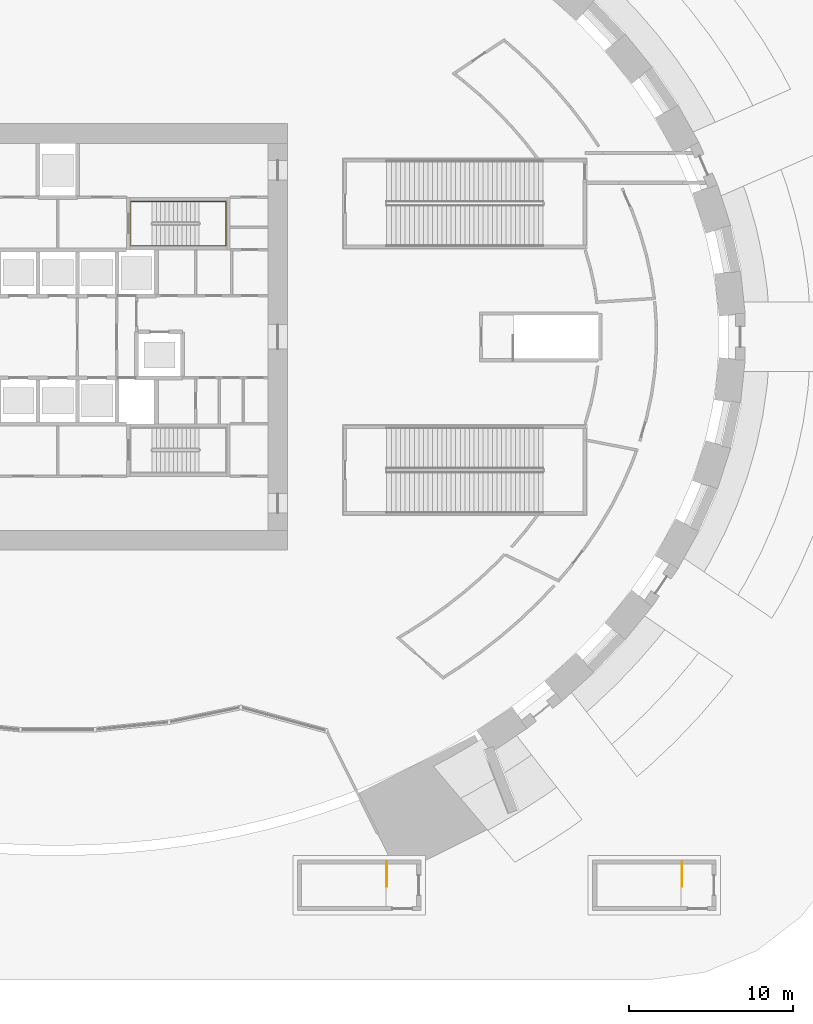
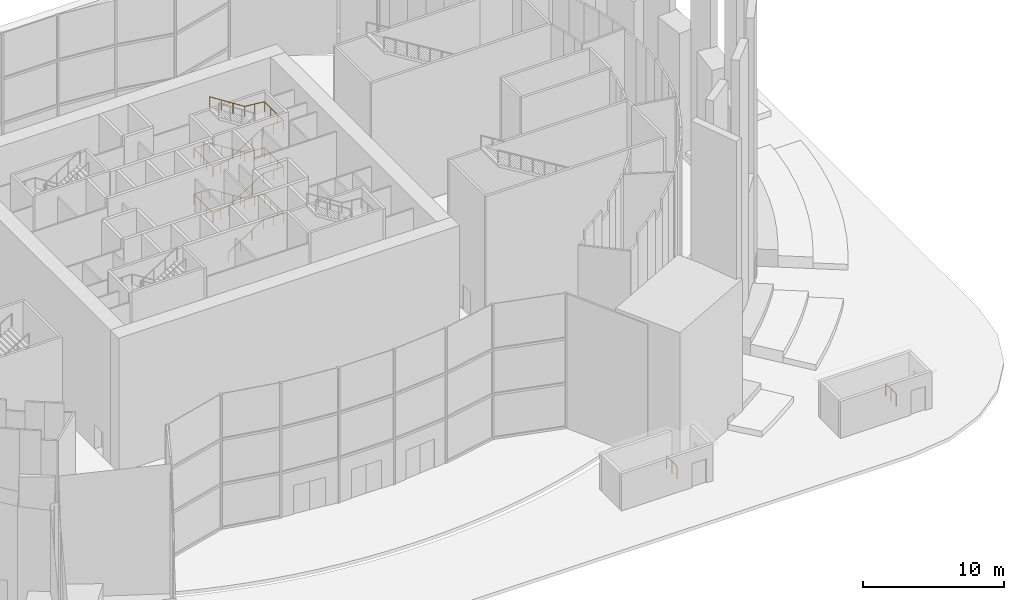
# One storey, part 22 of 25: 3 railings.
"""IFC4 building model written with IfcOpenShell, lengths in metres."""

import ifcopenshell
import ifcopenshell.guid

model = None  # the IFC model being written
_history = None  # IfcOwnerHistory: only IFC2X3 demands one
_inside = {}  # id of a spatial element -> (the spatial element, [elements in it])
_under = {}  # id of a project, library or spatial element -> (it, [spatial elements below it])
_declared = {}  # id of a project -> (the project, [libraries it declares])
_typed = {}  # id of a type object -> (the type object, [elements of that type])
_made_of = {}  # id of a material, layer set ... -> (it, [elements and type objects made of it])


def new_model(schema):
    """Start an empty IFC model of exactly this schema.

    Asked for "IFC4X3", IfcOpenShell would pick the latest addendum, in which some entities
    have other attributes; the version numbers below select the first issue.
    IFC2X3 requires an IfcOwnerHistory on every rooted entity: one is made here for all.
    """
    global model, _history
    if schema == "IFC4X3":
        model = ifcopenshell.file(schema_version=(4, 3, 0, 0))
    else:
        model = ifcopenshell.file(schema=schema)
    _inside.clear()
    _under.clear()
    _declared.clear()
    _typed.clear()
    _made_of.clear()
    _history = None
    if model.schema == "IFC2X3":
        org = make("IfcOrganization", Name="unknown")
        user = make(
            "IfcPersonAndOrganization",
            ThePerson=make("IfcPerson", FamilyName="unknown"),
            TheOrganization=org,
        )
        app = make(
            "IfcApplication",
            ApplicationDeveloper=org,
            Version="unknown",
            ApplicationFullName="unknown",
            ApplicationIdentifier="unknown",
        )
        _history = make(
            "IfcOwnerHistory",
            OwningUser=user,
            OwningApplication=app,
            ChangeAction="ADDED",
            CreationDate=0,
        )
    return model


def make(cls, **values):
    """One entity of the class cls with the attributes given. An attribute that is None is left unset."""
    return model.create_entity(
        cls, **{name: value for name, value in values.items() if value is not None}
    )


def rooted(cls, **values):
    """An entity with a GlobalId (a new one), such as an element, a storey or a relation."""
    return make(cls, GlobalId=ifcopenshell.guid.new(), OwnerHistory=_history, **values)


def si_unit(unit_type, name, prefix=None):
    """IfcSIUnit, for example si_unit("LENGTHUNIT", "METRE", prefix="MILLI")."""
    return make("IfcSIUnit", UnitType=unit_type, Prefix=prefix, Name=name)


def assignment(units):
    """IfcUnitAssignment: the units of a project."""
    return None if units is None else make("IfcUnitAssignment", Units=units)


def point(xyz):
    """IfcCartesianPoint."""
    return None if xyz is None else make("IfcCartesianPoint", Coordinates=xyz)


def direction(xyz):
    """IfcDirection."""
    return None if xyz is None else make("IfcDirection", DirectionRatios=xyz)


def frame(location, z_axis=None, x_axis=None):
    """IfcAxis2Placement3D, a coordinate frame: its origin and axes. An axis left out is left unset."""
    return make(
        "IfcAxis2Placement3D",
        Location=point(location),
        Axis=direction(z_axis),
        RefDirection=direction(x_axis),
    )


def frame_2d(location, x_axis=None):
    """IfcAxis2Placement2D, a coordinate frame in the plane: its origin and x axis."""
    return make(
        "IfcAxis2Placement2D", Location=point(location), RefDirection=direction(x_axis)
    )


def origin():
    """The frame at (0, 0, 0) with its axes left unset."""
    return frame((0.0, 0.0, 0.0))


def origin_2d():
    """The frame at (0, 0) in the plane with its x axis left unset."""
    return frame_2d((0.0, 0.0))


def place(relative_to, where):
    """IfcLocalPlacement: puts the frame where relative to a parent placement (None: the world)."""
    return make(
        "IfcLocalPlacement", PlacementRelTo=relative_to, RelativePlacement=where
    )


def context(
    kind, dimensions, precision=None, world=None, true_north=None, identifier=None
):
    """IfcGeometricRepresentationContext, for example the 3D "Model" context."""
    return make(
        "IfcGeometricRepresentationContext",
        ContextIdentifier=identifier,
        ContextType=kind,
        CoordinateSpaceDimension=dimensions,
        Precision=precision,
        WorldCoordinateSystem=world,
        TrueNorth=true_north,
    )


def subcontext(parent, identifier, kind, view, scale=None):
    """IfcGeometricRepresentationSubContext, for example "Body" below "Model"."""
    return make(
        "IfcGeometricRepresentationSubContext",
        ContextIdentifier=identifier,
        ContextType=kind,
        ParentContext=parent,
        TargetScale=scale,
        TargetView=view,
    )


def project(units=None, contexts=None):
    """IfcProject with its units and contexts."""
    return rooted(
        "IfcProject",
        Name="project",
        RepresentationContexts=contexts,
        UnitsInContext=assignment(units),
    )


def spatial(cls, under=None, at=None, **own):
    """A site, building, storey or space (cls), placed at a placement, below another one or the project."""
    s = rooted(cls, ObjectPlacement=at, **own)
    if under is not None:
        _under.setdefault(under.id(), (under, []))[1].append(s)
    return s


def profile(cls, at=None, kind="AREA", **sizes):
    """A parametric profile (cls). Its sizes go by their IFC names, for example OverallWidth=200.0."""
    return make(cls, ProfileType=kind, Position=at, **sizes)


def circle(**sizes):
    """IfcCircleProfileDef."""
    return profile("IfcCircleProfileDef", **sizes)


def extrude(swept, where, along, depth):
    """IfcExtrudedAreaSolid: the profile swept, set in the frame where, extruded along a direction by depth."""
    return make(
        "IfcExtrudedAreaSolid",
        SweptArea=swept,
        Position=where,
        ExtrudedDirection=direction(along),
        Depth=depth,
    )


def shape(context_of_items, identifier, shape_type, items):
    """IfcShapeRepresentation: the items that make up one representation, for example the "Body"."""
    return make(
        "IfcShapeRepresentation",
        ContextOfItems=context_of_items,
        RepresentationIdentifier=identifier,
        RepresentationType=shape_type,
        Items=items,
    )


def source(mapping_origin, context_of_items, identifier, shape_type, items):
    """IfcRepresentationMap: a shape defined once, which mapped items show again and again."""
    return make(
        "IfcRepresentationMap",
        MappingOrigin=mapping_origin,
        MappedRepresentation=shape(context_of_items, identifier, shape_type, items),
    )


def transform(
    local_origin,
    x_axis=None,
    y_axis=None,
    z_axis=None,
    scale=None,
    scale2=None,
    scale3=None,
    uniform=True,
):
    """IfcCartesianTransformationOperator3D, or its non-uniform kind. x_axis, y_axis, z_axis: its Axis1, 2, 3."""
    if uniform:
        return make(
            "IfcCartesianTransformationOperator3D",
            Axis1=direction(x_axis),
            Axis2=direction(y_axis),
            LocalOrigin=point(local_origin),
            Scale=scale,
            Axis3=direction(z_axis),
        )
    return make(
        "IfcCartesianTransformationOperator3DnonUniform",
        Axis1=direction(x_axis),
        Axis2=direction(y_axis),
        LocalOrigin=point(local_origin),
        Scale=scale,
        Axis3=direction(z_axis),
        Scale2=scale2,
        Scale3=scale3,
    )


def mapped(mapping_source, mapping_target):
    """IfcMappedItem: shows the shape of a source again, moved by a transform."""
    return make(
        "IfcMappedItem", MappingSource=mapping_source, MappingTarget=mapping_target
    )


def material(Name=None, Category=None):
    """IfcMaterial."""
    return make("IfcMaterial", Name=Name, Category=Category)


def made_of(thing, what):
    """Note that an element or type object is made of a material, layer set ...; save() writes the relation."""
    if what is not None:
        _made_of.setdefault(what.id(), (what, []))[1].append(thing)
    return thing


def type_object(cls, material=None, **own):
    """A type object (cls), such as IfcWallType, which elements share."""
    return made_of(rooted(cls, **own), material)


def element(
    cls,
    number,
    at=None,
    inside=None,
    cuts=None,
    type_object=None,
    material=None,
    context=None,
    identifier="Body",
    shape_type=None,
    held_by="IfcProductDefinitionShape",
    body=None,
    shapes=None,
    **own,
):
    """One element of the class cls, such as IfcWall. Its Tag is "e" and its number.

    at: its placement. inside: the storey or other place that contains it. cuts: it is an
    opening in that element (IfcRelVoidsElement). A single representation is given by context,
    identifier, shape_type and body (its items); several are given by shapes. held_by: the class
    of the entity that holds the representations. save() writes the other relations.
    """
    e = rooted(cls, Tag="e%d" % number, ObjectPlacement=at, **own)
    if body is not None:
        shapes = [shape(context, identifier, shape_type, body)]
    if shapes is not None:
        e.Representation = make(held_by, Representations=shapes)
    if inside is not None:
        _inside.setdefault(inside.id(), (inside, []))[1].append(e)
    if cuts is not None:
        rooted(
            "IfcRelVoidsElement", RelatingBuildingElement=cuts, RelatedOpeningElement=e
        )
    if type_object is not None:
        _typed.setdefault(type_object.id(), (type_object, []))[1].append(e)
    return made_of(e, material)


def aggregate(whole, parts):
    """IfcRelAggregates: a whole, such as a stair, and the parts it consists of."""
    return rooted("IfcRelAggregates", RelatingObject=whole, RelatedObjects=parts)


def save(model, path):
    """Write the relations noted so far, then the file.

    IfcRelAggregates (storeys below a building ...), IfcRelContainedInSpatialStructure (elements
    in a storey), IfcRelDefinesByType, IfcRelAssociatesMaterial and IfcRelDeclares: one each for
    every whole, place, type object, material and project.
    """
    for whole, parts in _under.values():
        aggregate(whole, parts)
    for where, things in _inside.values():
        rooted(
            "IfcRelContainedInSpatialStructure",
            RelatedElements=things,
            RelatingStructure=where,
        )
    for kind, things in _typed.values():
        rooted("IfcRelDefinesByType", RelatedObjects=things, RelatingType=kind)
    for what, things in _made_of.values():
        rooted("IfcRelAssociatesMaterial", RelatedObjects=things, RelatingMaterial=what)
    for by, libraries in _declared.values():
        rooted("IfcRelDeclares", RelatingContext=by, RelatedDefinitions=libraries)
    model.write(path)


model = new_model("IFC4")

# Units and contexts
model_context = context("Model", 3, precision=1e-05, world=origin(), true_north=direction((0.0, 1.0)))
body_context = subcontext(model_context, "Body", "Model", "MODEL_VIEW")
ifc_project = project(units=[si_unit("LENGTHUNIT", "METRE"), si_unit("AREAUNIT", "SQUARE_METRE"), si_unit("VOLUMEUNIT", "CUBIC_METRE"), si_unit("PLANEANGLEUNIT", "RADIAN"), si_unit("MASSUNIT", "GRAM", prefix="KILO")], contexts=[model_context])

# Site, building, storey
site_placement = place(None, origin())
site = spatial("IfcSite", under=ifc_project, at=site_placement, CompositionType="ELEMENT")
building_placement = place(site_placement, origin())
building = spatial("IfcBuilding", under=site, at=building_placement, Name="Embergate Tower", CompositionType="ELEMENT")
storey_placement = place(building_placement, origin())
storey = spatial("IfcBuildingStorey", under=building, at=storey_placement, Name="L00", CompositionType="ELEMENT", Elevation=0.0)

# Railings
ifc_material_1 = material(Name="Stair handrail 900")
railing_type_1 = type_object("IfcRailingType", Name="Stair handrail 900", PredefinedType="HANDRAIL", material=ifc_material_1)
shared_shape_1 = source(origin(), body_context, "Body", "SweptSolid", [
    extrude(circle(Radius=0.02392578125, at=origin_2d()), frame((0.0, 0.0, 0.8759765625), z_axis=(0.841899231129, 0.0, 0.539634769658), x_axis=(0.0, 1.0, 0.0)), (0.0, 0.0, 1.0), 3.397216796875),
    extrude(circle(Radius=0.02392578125, at=origin_2d()), frame((2.860107421875, 0.0, 2.708984375), z_axis=(1.0, 0.0, 0.0), x_axis=(0.0, 1.0, 0.0)), (0.0, 0.0, 1.0), 1.639892578125),
    extrude(circle(Radius=0.02392578125, at=origin_2d()), frame((4.5, 0.0, 2.708984375), z_axis=(0.0, 1.0, 0.0), x_axis=(-1.0, 0.0, 0.0)), (0.0, 0.0, 1.0), 2.699951171875),
    extrude(circle(Radius=0.02392578125, at=origin_2d()), frame((4.5, 2.699951171875, 2.708984375), z_axis=(-0.99487010061, 0.0, 0.101160678683), x_axis=(0.0, -1.0, 0.0)), (0.0, 0.0, 1.0), 1.6484375),
    extrude(circle(Radius=0.02392578125, at=origin_2d()), frame((2.860107421875, 2.699951171875, 2.8759765625), z_axis=(-0.841899231129, 0.0, 0.539634769658), x_axis=(0.0, -1.0, 0.0)), (0.0, 0.0, 1.0), 3.397216796875),
    extrude(circle(Radius=0.02392578125, at=origin_2d()), frame((0.0, 2.699951171875, 4.708984375), z_axis=(-1.0, 0.0, 0.0), x_axis=(0.0, -1.0, 0.0)), (0.0, 0.0, 1.0), 1.300048828125),
    extrude(circle(Radius=0.02392578125, at=origin_2d()), frame((-1.300048828125, 2.699951171875, 4.708984375), z_axis=(0.0, -1.0, 0.0), x_axis=(1.0, 0.0, 0.0)), (0.0, 0.0, 1.0), 2.699951171875),
    extrude(circle(Radius=0.02392578125, at=origin_2d()), frame((-1.300048828125, 0.0, 4.708984375), z_axis=(0.991874434073, 0.0, 0.12722070206), x_axis=(0.0, 1.0, 0.0)), (0.0, 0.0, 1.0), 1.310791015625),
    extrude(circle(Radius=0.02392578125, at=origin_2d()), frame((0.0, 0.0, 4.8759765625), z_axis=(0.841899231129, 0.0, 0.539634769658), x_axis=(0.0, 1.0, 0.0)), (0.0, 0.0, 1.0), 3.397216796875),
    extrude(circle(Radius=0.02392578125, at=origin_2d()), frame((2.860107421875, 0.0, 6.708984375), z_axis=(1.0, 0.0, 0.0), x_axis=(0.0, 1.0, 0.0)), (0.0, 0.0, 1.0), 1.639892578125),
    extrude(circle(Radius=0.02392578125, at=origin_2d()), frame((4.5, 0.0, 6.708984375), z_axis=(0.0, 1.0, 0.0), x_axis=(-1.0, 0.0, 0.0)), (0.0, 0.0, 1.0), 2.699951171875),
    extrude(circle(Radius=0.02392578125, at=origin_2d()), frame((4.5, 2.699951171875, 6.708984375), z_axis=(-0.99487010061, 0.0, 0.101160678683), x_axis=(0.0, -1.0, 0.0)), (0.0, 0.0, 1.0), 1.6484375),
    extrude(circle(Radius=0.02392578125, at=origin_2d()), frame((2.860107421875, 2.699951171875, 6.8759765625), z_axis=(-0.841899231129, 0.0, 0.539634769658), x_axis=(0.0, -1.0, 0.0)), (0.0, 0.0, 1.0), 3.397216796875),
    extrude(circle(Radius=0.02392578125, at=origin_2d()), frame((0.0, 2.699951171875, 8.708984375), z_axis=(-1.0, 0.0, 0.0), x_axis=(0.0, -1.0, 0.0)), (0.0, 0.0, 1.0), 1.300048828125),
    extrude(circle(Radius=0.02392578125, at=origin_2d()), frame((-1.300048828125, 2.699951171875, 8.708984375), z_axis=(0.0, -1.0, 0.0), x_axis=(1.0, 0.0, 0.0)), (0.0, 0.0, 1.0), 2.699951171875),
    extrude(circle(Radius=0.02392578125, at=origin_2d()), frame((-1.300048828125, 0.0, 8.708984375), z_axis=(0.991874434073, 0.0, 0.12722070206), x_axis=(0.0, 1.0, 0.0)), (0.0, 0.0, 1.0), 1.310791015625),
    extrude(circle(Radius=0.02392578125, at=origin_2d()), frame((0.0, 0.0, 8.8759765625), z_axis=(0.841899231129, 0.0, 0.539634769658), x_axis=(0.0, 1.0, 0.0)), (0.0, 0.0, 1.0), 3.397216796875),
    extrude(circle(Radius=0.02392578125, at=origin_2d()), frame((2.860107421875, 0.0, 10.708984375), z_axis=(1.0, 0.0, 0.0), x_axis=(0.0, 1.0, 0.0)), (0.0, 0.0, 1.0), 1.639892578125),
    extrude(circle(Radius=0.02392578125, at=origin_2d()), frame((4.5, 0.0, 10.708984375), z_axis=(0.0, 1.0, 0.0), x_axis=(-1.0, 0.0, 0.0)), (0.0, 0.0, 1.0), 2.699951171875),
    extrude(circle(Radius=0.02392578125, at=origin_2d()), frame((4.5, 2.699951171875, 10.708984375), z_axis=(-0.99487010061, 0.0, 0.101160678683), x_axis=(0.0, -1.0, 0.0)), (0.0, 0.0, 1.0), 1.6484375),
    extrude(circle(Radius=0.02392578125, at=origin_2d()), frame((2.860107421875, 2.699951171875, 10.8759765625), z_axis=(-0.841899231129, 0.0, 0.539634769658), x_axis=(0.0, -1.0, 0.0)), (0.0, 0.0, 1.0), 3.397216796875),
    extrude(circle(Radius=0.02099609375, at=origin_2d()), origin(), (0.0, 0.0, 1.0), 0.851806640625),
    extrude(circle(Radius=0.02099609375, at=origin_2d()), frame((0.953369140625, 0.0, 0.611083984375)), (0.0, 0.0, 1.0), 0.851806640625),
    extrude(circle(Radius=0.02099609375, at=origin_2d()), frame((1.90673828125, 0.0, 1.22216796875)), (0.0, 0.0, 1.0), 0.851806640625),
    extrude(circle(Radius=0.02099609375, at=origin_2d()), frame((2.860107421875, 0.0, 1.833251953125)), (0.0, 0.0, 1.0), 0.851806640625),
    extrude(circle(Radius=0.02099609375, at=origin_2d()), frame((3.68017578125, 0.0, 1.833251953125)), (0.0, 0.0, 1.0), 0.851806640625),
    extrude(circle(Radius=0.02099609375, at=origin_2d()), frame((4.5, 0.0, 1.833251953125)), (0.0, 0.0, 1.0), 0.851806640625),
    extrude(circle(Radius=0.02099609375, at=origin_2d()), frame((4.5, 0.89990234375, 1.833251953125)), (0.0, 0.0, 1.0), 0.851806640625),
    extrude(circle(Radius=0.02099609375, at=origin_2d()), frame((4.5, 1.800048828125, 1.833251953125)), (0.0, 0.0, 1.0), 0.851806640625),
    extrude(circle(Radius=0.02099609375, at=origin_2d()), frame((4.5, 2.699951171875, 1.833251953125)), (0.0, 0.0, 1.0), 0.851806640625),
    extrude(circle(Radius=0.02099609375, at=origin_2d()), frame((3.68017578125, 2.699951171875, 1.91650390625)), (0.0, 0.0, 1.0), 0.851806640625),
    extrude(circle(Radius=0.02099609375, at=origin_2d()), frame((2.860107421875, 2.699951171875, 2.0)), (0.0, 0.0, 1.0), 0.851806640625),
    extrude(circle(Radius=0.02099609375, at=origin_2d()), frame((1.90673828125, 2.699951171875, 2.611083984375)), (0.0, 0.0, 1.0), 0.851806640625),
    extrude(circle(Radius=0.02099609375, at=origin_2d()), frame((0.953369140625, 2.699951171875, 3.22216796875)), (0.0, 0.0, 1.0), 0.851806640625),
    extrude(circle(Radius=0.02099609375, at=origin_2d()), frame((0.0, 2.699951171875, 3.833251953125)), (0.0, 0.0, 1.0), 0.851806640625),
    extrude(circle(Radius=0.02099609375, at=origin_2d()), frame((-0.64990234375, 2.699951171875, 3.833251953125)), (0.0, 0.0, 1.0), 0.851806640625),
    extrude(circle(Radius=0.02099609375, at=origin_2d()), frame((-1.300048828125, 2.699951171875, 3.833251953125)), (0.0, 0.0, 1.0), 0.851806640625),
    extrude(circle(Radius=0.02099609375, at=origin_2d()), frame((-1.300048828125, 1.800048828125, 3.833251953125)), (0.0, 0.0, 1.0), 0.851806640625),
    extrude(circle(Radius=0.02099609375, at=origin_2d()), frame((-1.300048828125, 0.89990234375, 3.833251953125)), (0.0, 0.0, 1.0), 0.851806640625),
    extrude(circle(Radius=0.02099609375, at=origin_2d()), frame((-1.300048828125, 0.0, 3.833251953125)), (0.0, 0.0, 1.0), 0.851806640625),
    extrude(circle(Radius=0.02099609375, at=origin_2d()), frame((-0.64990234375, 0.0, 3.91650390625)), (0.0, 0.0, 1.0), 0.851806640625),
    extrude(circle(Radius=0.02099609375, at=origin_2d()), frame((0.0, 0.0, 4.0)), (0.0, 0.0, 1.0), 0.851806640625),
    extrude(circle(Radius=0.02099609375, at=origin_2d()), frame((0.953369140625, 0.0, 4.611083984375)), (0.0, 0.0, 1.0), 0.851806640625),
    extrude(circle(Radius=0.02099609375, at=origin_2d()), frame((1.90673828125, 0.0, 5.22216796875)), (0.0, 0.0, 1.0), 0.851806640625),
    extrude(circle(Radius=0.02099609375, at=origin_2d()), frame((2.860107421875, 0.0, 5.833251953125)), (0.0, 0.0, 1.0), 0.851806640625),
    extrude(circle(Radius=0.02099609375, at=origin_2d()), frame((3.68017578125, 0.0, 5.833251953125)), (0.0, 0.0, 1.0), 0.851806640625),
    extrude(circle(Radius=0.02099609375, at=origin_2d()), frame((4.5, 0.0, 5.833251953125)), (0.0, 0.0, 1.0), 0.851806640625),
    extrude(circle(Radius=0.02099609375, at=origin_2d()), frame((4.5, 0.89990234375, 5.833251953125)), (0.0, 0.0, 1.0), 0.851806640625),
    extrude(circle(Radius=0.02099609375, at=origin_2d()), frame((4.5, 1.800048828125, 5.833251953125)), (0.0, 0.0, 1.0), 0.851806640625),
    extrude(circle(Radius=0.02099609375, at=origin_2d()), frame((4.5, 2.699951171875, 5.833251953125)), (0.0, 0.0, 1.0), 0.851806640625),
    extrude(circle(Radius=0.02099609375, at=origin_2d()), frame((3.68017578125, 2.699951171875, 5.91650390625)), (0.0, 0.0, 1.0), 0.851806640625),
    extrude(circle(Radius=0.02099609375, at=origin_2d()), frame((2.860107421875, 2.699951171875, 6.0)), (0.0, 0.0, 1.0), 0.851806640625),
    extrude(circle(Radius=0.02099609375, at=origin_2d()), frame((1.90673828125, 2.699951171875, 6.611083984375)), (0.0, 0.0, 1.0), 0.851806640625),
    extrude(circle(Radius=0.02099609375, at=origin_2d()), frame((0.953369140625, 2.699951171875, 7.22216796875)), (0.0, 0.0, 1.0), 0.851806640625),
    extrude(circle(Radius=0.02099609375, at=origin_2d()), frame((0.0, 2.699951171875, 7.833251953125)), (0.0, 0.0, 1.0), 0.851806640625),
    extrude(circle(Radius=0.02099609375, at=origin_2d()), frame((-0.64990234375, 2.699951171875, 7.833251953125)), (0.0, 0.0, 1.0), 0.851806640625),
    extrude(circle(Radius=0.02099609375, at=origin_2d()), frame((-1.300048828125, 2.699951171875, 7.833251953125)), (0.0, 0.0, 1.0), 0.851806640625),
    extrude(circle(Radius=0.02099609375, at=origin_2d()), frame((-1.300048828125, 1.800048828125, 7.833251953125)), (0.0, 0.0, 1.0), 0.851806640625),
    extrude(circle(Radius=0.02099609375, at=origin_2d()), frame((-1.300048828125, 0.89990234375, 7.833251953125)), (0.0, 0.0, 1.0), 0.851806640625),
    extrude(circle(Radius=0.02099609375, at=origin_2d()), frame((-1.300048828125, 0.0, 7.833251953125)), (0.0, 0.0, 1.0), 0.851806640625),
    extrude(circle(Radius=0.02099609375, at=origin_2d()), frame((-0.64990234375, 0.0, 7.91650390625)), (0.0, 0.0, 1.0), 0.851806640625),
    extrude(circle(Radius=0.02099609375, at=origin_2d()), frame((0.0, 0.0, 8.0)), (0.0, 0.0, 1.0), 0.851806640625),
    extrude(circle(Radius=0.02099609375, at=origin_2d()), frame((0.953369140625, 0.0, 8.611083984375)), (0.0, 0.0, 1.0), 0.851806640625),
    extrude(circle(Radius=0.02099609375, at=origin_2d()), frame((1.90673828125, 0.0, 9.22216796875)), (0.0, 0.0, 1.0), 0.851806640625),
    extrude(circle(Radius=0.02099609375, at=origin_2d()), frame((2.860107421875, 0.0, 9.833251953125)), (0.0, 0.0, 1.0), 0.851806640625),
    extrude(circle(Radius=0.02099609375, at=origin_2d()), frame((3.68017578125, 0.0, 9.833251953125)), (0.0, 0.0, 1.0), 0.851806640625),
    extrude(circle(Radius=0.02099609375, at=origin_2d()), frame((4.5, 0.0, 9.833251953125)), (0.0, 0.0, 1.0), 0.851806640625),
    extrude(circle(Radius=0.02099609375, at=origin_2d()), frame((4.5, 0.89990234375, 9.833251953125)), (0.0, 0.0, 1.0), 0.851806640625),
    extrude(circle(Radius=0.02099609375, at=origin_2d()), frame((4.5, 1.800048828125, 9.833251953125)), (0.0, 0.0, 1.0), 0.851806640625),
    extrude(circle(Radius=0.02099609375, at=origin_2d()), frame((4.5, 2.699951171875, 9.833251953125)), (0.0, 0.0, 1.0), 0.851806640625),
    extrude(circle(Radius=0.02099609375, at=origin_2d()), frame((3.68017578125, 2.699951171875, 9.91650390625)), (0.0, 0.0, 1.0), 0.851806640625),
    extrude(circle(Radius=0.02099609375, at=origin_2d()), frame((2.860107421875, 2.699951171875, 10.0)), (0.0, 0.0, 1.0), 0.851806640625),
    extrude(circle(Radius=0.02099609375, at=origin_2d()), frame((1.90673828125, 2.699951171875, 10.611083984375)), (0.0, 0.0, 1.0), 0.851806640625),
    extrude(circle(Radius=0.02099609375, at=origin_2d()), frame((0.953369140625, 2.699951171875, 11.22216796875)), (0.0, 0.0, 1.0), 0.851806640625),
    extrude(circle(Radius=0.02099609375, at=origin_2d()), frame((0.0, 2.699951171875, 11.833251953125)), (0.0, 0.0, 1.0), 0.851806640625),
])
railing_placement = place(storey_placement, frame((5.75, 5.550048828125, 0.166748046875)))
element("IfcRailing", 1, at=railing_placement, inside=storey, type_object=railing_type_1, Name="L00 ST2 stair handrail 1", PredefinedType="HANDRAIL", context=body_context, shape_type="MappedRepresentation", body=[
    mapped(shared_shape_1, transform((0.0, 0.0, 0.0))),
])
ifc_material_2 = material(Name="Steel", Category="steel")
railing_type_2 = type_object("IfcRailingType", Name="Exit stair guard 1100", PredefinedType="GUARDRAIL", material=ifc_material_2)
shared_shape_2 = source(origin(), body_context, "Body", "SweptSolid", [
    extrude(circle(Radius=0.02392578125, at=origin_2d()), frame((0.0, 0.0, 1.076171875), z_axis=(0.0, -1.0, 0.0), x_axis=(1.0, 0.0, 0.0)), (0.0, 0.0, 1.0), 1.5),
    extrude(circle(Radius=0.02099609375, at=origin_2d()), origin(), (0.0, 0.0, 1.0), 1.052001953125),
    extrude(circle(Radius=0.02099609375, at=origin_2d()), frame((0.0, -0.75, 0.0)), (0.0, 0.0, 1.0), 1.052001953125),
    extrude(circle(Radius=0.02099609375, at=origin_2d()), frame((0.0, -1.5, 0.0)), (0.0, 0.0, 1.0), 1.052001953125),
])
for number, where, name in (
    (2, (20.050048828125, -32.0, 0.0), "L00 XS3 top well guard 1"),
    (3, (38.050048828125, -32.0, 0.0), "L00 XS4 top well guard 1"),
):
    element("IfcRailing", number, at=place(storey_placement, frame(where)), inside=storey, type_object=railing_type_2, Name=name, PredefinedType="GUARDRAIL", context=body_context, shape_type="MappedRepresentation", body=[
        mapped(shared_shape_2, transform((0.0, 0.0, 0.0))),
    ])

save(model, "model.ifc")
